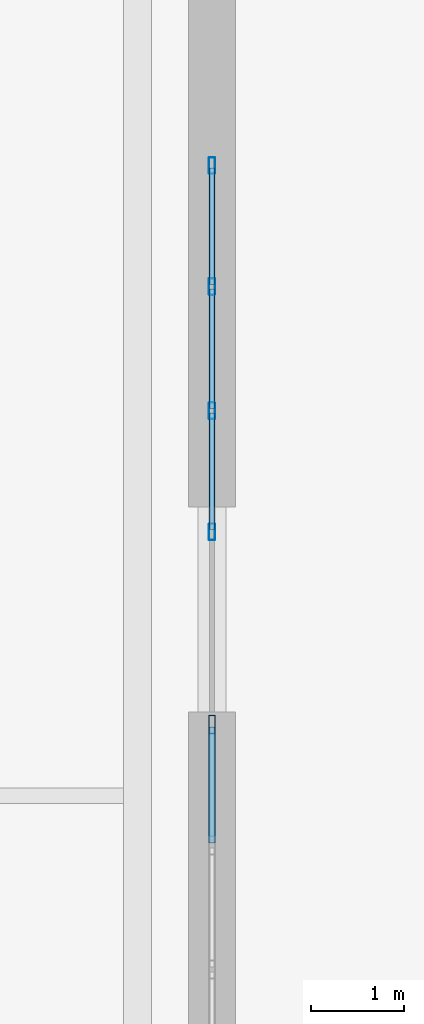
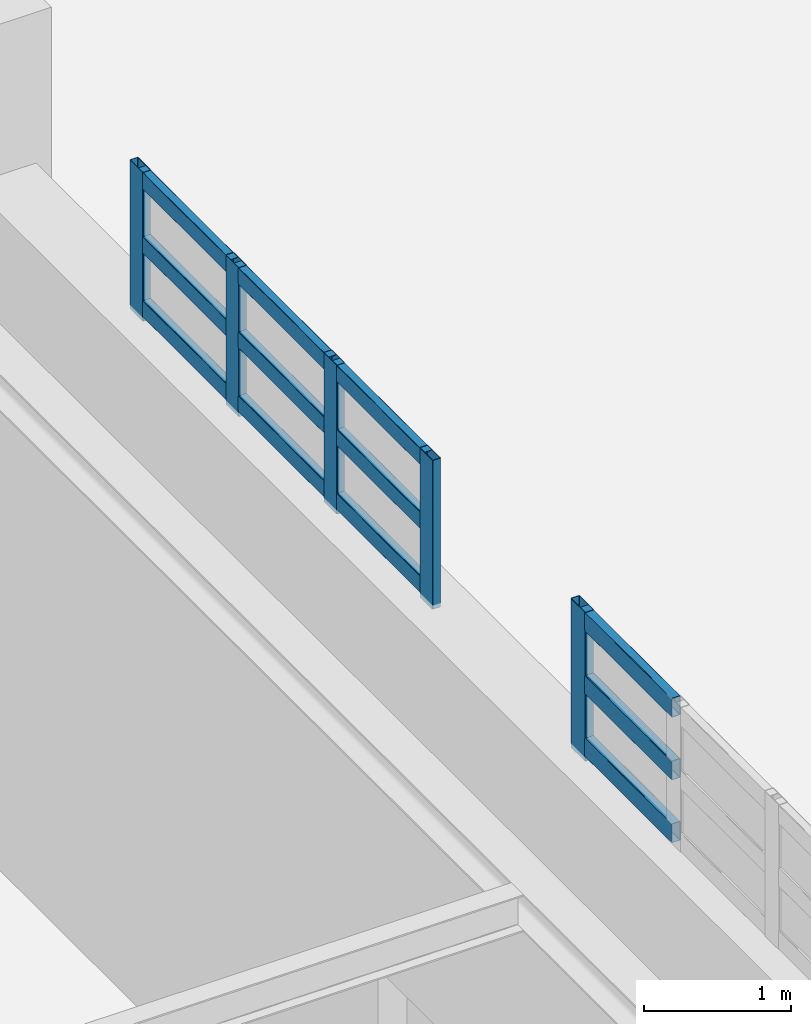
# One storey, part 124 of 197: 17 members, 2 elements without a shape of their own.
"""IFC4 building model written with IfcOpenShell, lengths in metres."""

from ifc_helpers import new_model, si_unit, derived_unit, direction, frame, origin, origin_2d, place, context, subcontext, project, spatial, hollow_rectangle, extrude, material, layer, layer_set, material_profile, profile_set, type_object, element, aggregate, save


model = new_model("IFC4")

# Units and contexts
model_context = context("Model", 3, precision=1e-05, world=origin(), true_north=direction((0.0, 1.0)))
body_context = subcontext(model_context, "Body", "Model", "MODEL_VIEW")
ifc_project = project(units=[si_unit("LENGTHUNIT", "METRE"), si_unit("AREAUNIT", "SQUARE_METRE"), si_unit("VOLUMEUNIT", "CUBIC_METRE"), si_unit("PLANEANGLEUNIT", "RADIAN"), si_unit("MASSUNIT", "GRAM", prefix="KILO"), derived_unit("THERMALTRANSMITTANCEUNIT", [(si_unit("POWERUNIT", "WATT"), 1), (si_unit("LENGTHUNIT", "METRE"), -2), (si_unit("THERMODYNAMICTEMPERATUREUNIT", "KELVIN"), -1)])], contexts=[model_context])

# Site, building, storey
site_placement = place(None, origin())
site = spatial("IfcSite", under=ifc_project, at=site_placement, CompositionType="ELEMENT")
building_placement = place(site_placement, origin())
building = spatial("IfcBuilding", under=site, at=building_placement, Name="Almenara Railside Exhibition Hall", CompositionType="ELEMENT")
storey_placement = place(building_placement, frame((0.0, 0.0, 5.39990234375)))
storey = spatial("IfcBuildingStorey", under=building, at=storey_placement, Name="L01", CompositionType="ELEMENT", Elevation=5.39990234375)

# Curtain wall, members
ifc_material_1 = material(Name="Bronze-anodised aluminium and low-E double glazing", Category="aluminium")
ifc_layer = layer(ifc_material_1, 0.179931640625, Name="Bronze-anodised aluminium and low-E double glazing")
ifc_layer_set = layer_set([ifc_layer], Name="Bronze-anodised aluminium and low-E double glazing")
curtain_wall_type = type_object("IfcCurtainWallType", Name="East Hall Clerestory Curtain Wall 4000x2100", PredefinedType="NOTDEFINED", material=ifc_layer_set)
curtain_wall_1_placement = place(storey_placement, origin())
curtain_wall_1 = element("IfcCurtainWall", 1, at=curtain_wall_1_placement, inside=storey, type_object=curtain_wall_type, Name="Curtain wall CW-CL4-064", PredefinedType="NOTDEFINED")
ifc_material_2 = material(Name="Bronze-anodised aluminium", Category="aluminium")
ifc_material_profile_1 = material_profile(ifc_material_2, hollow_rectangle(XDim=0.06494140625, YDim=0.179931640625, WallThickness=0.00390625, InnerFilletRadius=0.00390625, OuterFilletRadius=0.008056640625, at=origin_2d()), Name="ALU-MUL 65x180x4")
ifc_profile_set_1 = profile_set([ifc_material_profile_1], Name="Bronze-anodised aluminium")
member_type_1 = type_object("IfcMemberType", Name="Curtain Wall Mullion 65x180x4", PredefinedType="MULLION", material=ifc_profile_set_1)
member_1_placement = place(storey_placement, frame((138.0, 83.83251953125, 5.4150390625), z_axis=(0.0, 0.0, 1.0), x_axis=(-1.0, 0.0, 0.0)))
member_1 = element("IfcMember", 2, at=member_1_placement, type_object=member_type_1, Name="CW-CL4-064 mullion 1", PredefinedType="MULLION", context=body_context, shape_type="SweptSolid", body=[
    extrude(hollow_rectangle(XDim=0.06494140625, YDim=0.179931640625, WallThickness=0.00390625, InnerFilletRadius=0.00390625, OuterFilletRadius=0.008056640625, at=origin_2d()), origin(), (0.0, 0.0, 1.0), 1.235107421875),
])
member_2_placement = place(storey_placement, frame((138.0, 85.13330078125, 5.4150390625), z_axis=(0.0, 0.0, 1.0), x_axis=(-1.0, 0.0, 0.0)))
member_2 = element("IfcMember", 3, at=member_2_placement, type_object=member_type_1, Name="CW-CL4-064 mullion 2", PredefinedType="MULLION", context=body_context, shape_type="SweptSolid", body=[
    extrude(hollow_rectangle(XDim=0.06494140625, YDim=0.179931640625, WallThickness=0.00390625, InnerFilletRadius=0.00390625, OuterFilletRadius=0.008056640625, at=origin_2d()), origin(), (0.0, 0.0, 1.0), 1.235107421875),
])
member_3_placement = place(storey_placement, frame((138.0, 86.466552734375, 5.4150390625), z_axis=(0.0, 0.0, 1.0), x_axis=(-1.0, 0.0, 0.0)))
member_3 = element("IfcMember", 4, at=member_3_placement, type_object=member_type_1, Name="CW-CL4-064 mullion 3", PredefinedType="MULLION", context=body_context, shape_type="SweptSolid", body=[
    extrude(hollow_rectangle(XDim=0.06494140625, YDim=0.179931640625, WallThickness=0.00390625, InnerFilletRadius=0.00390625, OuterFilletRadius=0.008056640625, at=origin_2d()), origin(), (0.0, 0.0, 1.0), 1.235107421875),
])
member_4_placement = place(storey_placement, frame((138.0, 87.767578125, 5.4150390625), z_axis=(0.0, 0.0, 1.0), x_axis=(-1.0, 0.0, 0.0)))
member_4 = element("IfcMember", 5, at=member_4_placement, type_object=member_type_1, Name="CW-CL4-064 mullion 4", PredefinedType="MULLION", context=body_context, shape_type="SweptSolid", body=[
    extrude(hollow_rectangle(XDim=0.06494140625, YDim=0.179931640625, WallThickness=0.00390625, InnerFilletRadius=0.00390625, OuterFilletRadius=0.008056640625, at=origin_2d()), origin(), (0.0, 0.0, 1.0), 1.235107421875),
])

# Curtain wall, member
curtain_wall_2_placement = place(storey_placement, origin())
curtain_wall_2 = element("IfcCurtainWall", 6, at=curtain_wall_2_placement, inside=storey, type_object=curtain_wall_type, Name="Curtain wall CW-CL4-063", PredefinedType="NOTDEFINED")
ifc_material_profile_2 = material_profile(ifc_material_2, hollow_rectangle(XDim=0.070068359375, YDim=0.199951171875, WallThickness=0.00439453125, InnerFilletRadius=0.00439453125, OuterFilletRadius=0.009033203125, at=origin_2d()), Name="ALU-MUL 70x200x4.5")
ifc_profile_set_2 = profile_set([ifc_material_profile_2], Name="Bronze-anodised aluminium")
member_type_2 = type_object("IfcMemberType", Name="Curtain Wall Mullion 70x200x4.5", PredefinedType="MULLION", material=ifc_profile_set_2)
member_5_placement = place(storey_placement, frame((138.0, 81.764892578125, 5.4150390625), z_axis=(0.0, 0.0, 1.0), x_axis=(-1.0, 0.0, 0.0)))
member_5 = element("IfcMember", 7, at=member_5_placement, type_object=member_type_2, Name="CW-CL4-063 mullion 4", PredefinedType="MULLION", context=body_context, shape_type="SweptSolid", body=[
    extrude(hollow_rectangle(XDim=0.070068359375, YDim=0.199951171875, WallThickness=0.00439453125, InnerFilletRadius=0.00439453125, OuterFilletRadius=0.009033203125, at=origin_2d()), origin(), (0.0, 0.0, 1.0), 1.235107421875),
])

# Member
ifc_material_profile_3 = material_profile(ifc_material_2, hollow_rectangle(XDim=0.06494140625, YDim=0.139892578125, WallThickness=0.00341796875, InnerFilletRadius=0.00341796875, OuterFilletRadius=0.007080078125, at=origin_2d()), Name="ALU-TRN 65x140x3.5")
ifc_profile_set_3 = profile_set([ifc_material_profile_3], Name="Bronze-anodised aluminium")
member_type_3 = type_object("IfcMemberType", Name="Curtain Wall Transom 65x140x3.5", PredefinedType="USERDEFINED", material=ifc_profile_set_3)
member_6_placement = place(storey_placement, frame((138.0, 83.85693359375, 5.52001953125), z_axis=(0.0, 1.0, 0.0), x_axis=(-1.0, 0.0, 0.0)))
member_6 = element("IfcMember", 8, at=member_6_placement, type_object=member_type_3, Name="CW-CL4-064 transom 1.1", ObjectType="TRANSOM", PredefinedType="USERDEFINED", context=body_context, shape_type="SweptSolid", body=[
    extrude(hollow_rectangle(XDim=0.06494140625, YDim=0.139892578125, WallThickness=0.00341796875, InnerFilletRadius=0.00341796875, OuterFilletRadius=0.007080078125, at=origin_2d()), origin(), (0.0, 0.0, 1.0), 1.251953125),
])

member_7_placement = place(storey_placement, frame((138.0, 83.85693359375, 6.050048828125), z_axis=(0.0, 1.0, 0.0), x_axis=(-1.0, 0.0, 0.0)))
member_7 = element("IfcMember", 9, at=member_7_placement, type_object=member_type_3, Name="CW-CL4-064 transom 1.2", ObjectType="TRANSOM", PredefinedType="USERDEFINED", context=body_context, shape_type="SweptSolid", body=[
    extrude(hollow_rectangle(XDim=0.06494140625, YDim=0.139892578125, WallThickness=0.00341796875, InnerFilletRadius=0.00341796875, OuterFilletRadius=0.007080078125, at=origin_2d()), origin(), (0.0, 0.0, 1.0), 1.251953125),
])

member_8_placement = place(storey_placement, frame((138.0, 83.85693359375, 6.580078125), z_axis=(0.0, 1.0, 0.0), x_axis=(-1.0, 0.0, 0.0)))
member_8 = element("IfcMember", 10, at=member_8_placement, type_object=member_type_3, Name="CW-CL4-064 transom 1.3", ObjectType="TRANSOM", PredefinedType="USERDEFINED", context=body_context, shape_type="SweptSolid", body=[
    extrude(hollow_rectangle(XDim=0.06494140625, YDim=0.139892578125, WallThickness=0.00341796875, InnerFilletRadius=0.00341796875, OuterFilletRadius=0.007080078125, at=origin_2d()), origin(), (0.0, 0.0, 1.0), 1.251953125),
])

member_9_placement = place(storey_placement, frame((138.0, 85.15771484375, 5.52001953125), z_axis=(0.0, 1.0, 0.0), x_axis=(-1.0, 0.0, 0.0)))
member_9 = element("IfcMember", 11, at=member_9_placement, type_object=member_type_3, Name="CW-CL4-064 transom 2.1", ObjectType="TRANSOM", PredefinedType="USERDEFINED", context=body_context, shape_type="SweptSolid", body=[
    extrude(hollow_rectangle(XDim=0.06494140625, YDim=0.139892578125, WallThickness=0.00341796875, InnerFilletRadius=0.00341796875, OuterFilletRadius=0.007080078125, at=origin_2d()), origin(), (0.0, 0.0, 1.0), 1.284423828125),
])

member_10_placement = place(storey_placement, frame((138.0, 85.15771484375, 6.050048828125), z_axis=(0.0, 1.0, 0.0), x_axis=(-1.0, 0.0, 0.0)))
member_10 = element("IfcMember", 12, at=member_10_placement, type_object=member_type_3, Name="CW-CL4-064 transom 2.2", ObjectType="TRANSOM", PredefinedType="USERDEFINED", context=body_context, shape_type="SweptSolid", body=[
    extrude(hollow_rectangle(XDim=0.06494140625, YDim=0.139892578125, WallThickness=0.00341796875, InnerFilletRadius=0.00341796875, OuterFilletRadius=0.007080078125, at=origin_2d()), origin(), (0.0, 0.0, 1.0), 1.284423828125),
])

member_11_placement = place(storey_placement, frame((138.0, 85.15771484375, 6.580078125), z_axis=(0.0, 1.0, 0.0), x_axis=(-1.0, 0.0, 0.0)))
member_11 = element("IfcMember", 13, at=member_11_placement, type_object=member_type_3, Name="CW-CL4-064 transom 2.3", ObjectType="TRANSOM", PredefinedType="USERDEFINED", context=body_context, shape_type="SweptSolid", body=[
    extrude(hollow_rectangle(XDim=0.06494140625, YDim=0.139892578125, WallThickness=0.00341796875, InnerFilletRadius=0.00341796875, OuterFilletRadius=0.007080078125, at=origin_2d()), origin(), (0.0, 0.0, 1.0), 1.284423828125),
])

member_12_placement = place(storey_placement, frame((138.0, 86.4912109375, 5.52001953125), z_axis=(0.0, 1.0, 0.0), x_axis=(-1.0, 0.0, 0.0)))
member_12 = element("IfcMember", 14, at=member_12_placement, type_object=member_type_3, Name="CW-CL4-064 transom 3.1", ObjectType="TRANSOM", PredefinedType="USERDEFINED", context=body_context, shape_type="SweptSolid", body=[
    extrude(hollow_rectangle(XDim=0.06494140625, YDim=0.139892578125, WallThickness=0.00341796875, InnerFilletRadius=0.00341796875, OuterFilletRadius=0.007080078125, at=origin_2d()), origin(), (0.0, 0.0, 1.0), 1.251708984375),
])

member_13_placement = place(storey_placement, frame((138.0, 86.4912109375, 6.050048828125), z_axis=(0.0, 1.0, 0.0), x_axis=(-1.0, 0.0, 0.0)))
member_13 = element("IfcMember", 15, at=member_13_placement, type_object=member_type_3, Name="CW-CL4-064 transom 3.2", ObjectType="TRANSOM", PredefinedType="USERDEFINED", context=body_context, shape_type="SweptSolid", body=[
    extrude(hollow_rectangle(XDim=0.06494140625, YDim=0.139892578125, WallThickness=0.00341796875, InnerFilletRadius=0.00341796875, OuterFilletRadius=0.007080078125, at=origin_2d()), origin(), (0.0, 0.0, 1.0), 1.251708984375),
])

member_14_placement = place(storey_placement, frame((138.0, 86.4912109375, 6.580078125), z_axis=(0.0, 1.0, 0.0), x_axis=(-1.0, 0.0, 0.0)))
member_14 = element("IfcMember", 16, at=member_14_placement, type_object=member_type_3, Name="CW-CL4-064 transom 3.3", ObjectType="TRANSOM", PredefinedType="USERDEFINED", context=body_context, shape_type="SweptSolid", body=[
    extrude(hollow_rectangle(XDim=0.06494140625, YDim=0.139892578125, WallThickness=0.00341796875, InnerFilletRadius=0.00341796875, OuterFilletRadius=0.007080078125, at=origin_2d()), origin(), (0.0, 0.0, 1.0), 1.251708984375),
])

aggregate(curtain_wall_1, [member_1, member_2, member_3, member_4, member_6, member_7, member_8, member_9, member_10, member_11, member_12, member_13, member_14])

ifc_material_profile_4 = material_profile(ifc_material_2, hollow_rectangle(XDim=0.070068359375, YDim=0.159912109375, WallThickness=0.00390625, InnerFilletRadius=0.00390625, OuterFilletRadius=0.008056640625, at=origin_2d()), Name="ALU-TRN 70x160x4")
ifc_profile_set_4 = profile_set([ifc_material_profile_4], Name="Bronze-anodised aluminium")
member_type_4 = type_object("IfcMemberType", Name="Curtain Wall Transom 70x160x4", PredefinedType="USERDEFINED", material=ifc_profile_set_4)
member_15_placement = place(storey_placement, frame((138.0, 80.49365234375, 5.530029296875), z_axis=(0.0, 1.0, 0.0), x_axis=(-1.0, 0.0, 0.0)))
member_15 = element("IfcMember", 17, at=member_15_placement, type_object=member_type_4, Name="CW-CL4-063 transom 3.1", ObjectType="TRANSOM", PredefinedType="USERDEFINED", context=body_context, shape_type="SweptSolid", body=[
    extrude(hollow_rectangle(XDim=0.070068359375, YDim=0.159912109375, WallThickness=0.00390625, InnerFilletRadius=0.00390625, OuterFilletRadius=0.008056640625, at=origin_2d()), origin(), (0.0, 0.0, 1.0), 1.244384765625),
])

member_16_placement = place(storey_placement, frame((138.0, 80.49365234375, 6.050048828125), z_axis=(0.0, 1.0, 0.0), x_axis=(-1.0, 0.0, 0.0)))
member_16 = element("IfcMember", 18, at=member_16_placement, type_object=member_type_4, Name="CW-CL4-063 transom 3.2", ObjectType="TRANSOM", PredefinedType="USERDEFINED", context=body_context, shape_type="SweptSolid", body=[
    extrude(hollow_rectangle(XDim=0.070068359375, YDim=0.159912109375, WallThickness=0.00390625, InnerFilletRadius=0.00390625, OuterFilletRadius=0.008056640625, at=origin_2d()), origin(), (0.0, 0.0, 1.0), 1.244384765625),
])

member_17_placement = place(storey_placement, frame((138.0, 80.49365234375, 6.570068359375), z_axis=(0.0, 1.0, 0.0), x_axis=(-1.0, 0.0, 0.0)))
member_17 = element("IfcMember", 19, at=member_17_placement, type_object=member_type_4, Name="CW-CL4-063 transom 3.3", ObjectType="TRANSOM", PredefinedType="USERDEFINED", context=body_context, shape_type="SweptSolid", body=[
    extrude(hollow_rectangle(XDim=0.070068359375, YDim=0.159912109375, WallThickness=0.00390625, InnerFilletRadius=0.00390625, OuterFilletRadius=0.008056640625, at=origin_2d()), origin(), (0.0, 0.0, 1.0), 1.244384765625),
])

aggregate(curtain_wall_2, [member_5, member_15, member_16, member_17])

save(model, "model.ifc")
